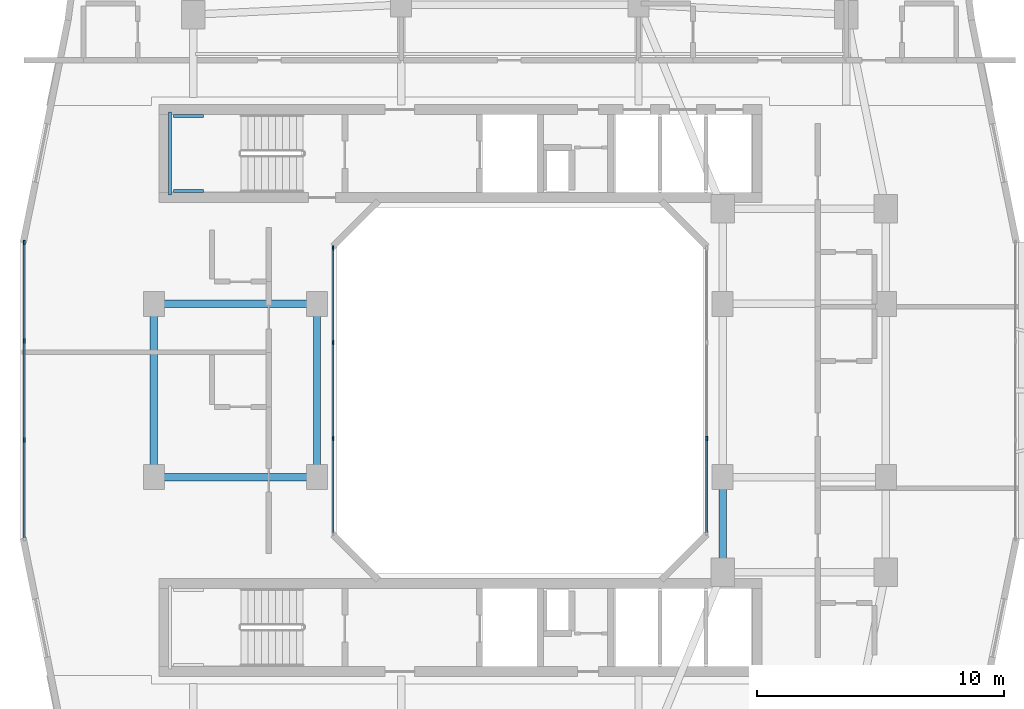
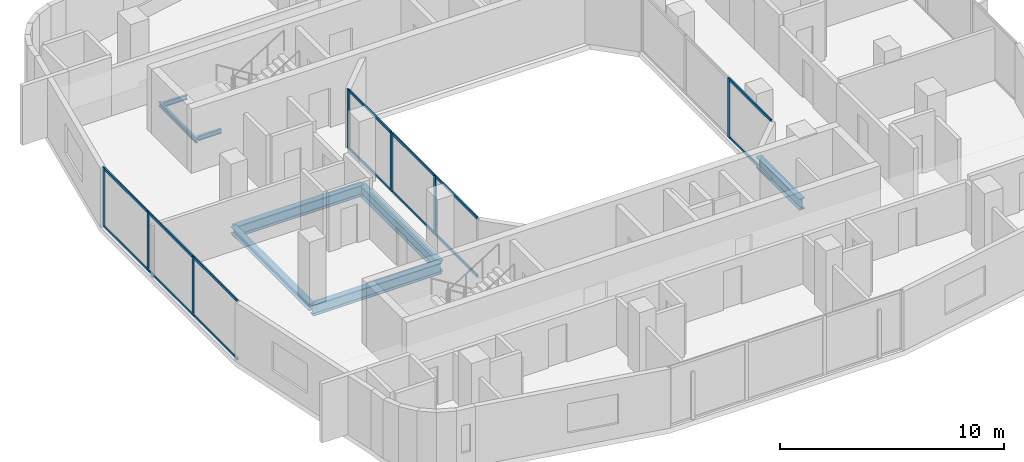
# One storey, part 3 of 26: 21 members, 8 beams, 3 elements without a shape of their own.
"""IFC4 building model written with IfcOpenShell, lengths in metres."""

from ifc_helpers import new_model, si_unit, derived_unit, direction, frame, origin, origin_2d, place, context, subcontext, project, spatial, rectangle, i_section, extrude, material, layer, layer_set, material_profile, profile_set, type_object, element, aggregate, save


model = new_model("IFC4")

# Units and contexts
model_context = context("Model", 3, precision=1e-05, world=origin(), true_north=direction((0.0, 1.0)))
body_context = subcontext(model_context, "Body", "Model", "MODEL_VIEW")
ifc_project = project(units=[si_unit("LENGTHUNIT", "METRE"), si_unit("AREAUNIT", "SQUARE_METRE"), si_unit("VOLUMEUNIT", "CUBIC_METRE"), si_unit("PLANEANGLEUNIT", "RADIAN"), si_unit("MASSUNIT", "GRAM", prefix="KILO"), derived_unit("THERMALTRANSMITTANCEUNIT", [(si_unit("POWERUNIT", "WATT"), 1), (si_unit("LENGTHUNIT", "METRE"), -2), (si_unit("THERMODYNAMICTEMPERATUREUNIT", "KELVIN"), -1)])], contexts=[model_context])

# Site, building, storey
site_placement = place(None, origin())
site = spatial("IfcSite", under=ifc_project, at=site_placement, CompositionType="ELEMENT")
building_placement = place(site_placement, origin())
building = spatial("IfcBuilding", under=site, at=building_placement, Name="Kivonza Crest Hotel", CompositionType="ELEMENT")
storey_placement = place(building_placement, frame((0.0, 0.0, 102.0)))
storey = spatial("IfcBuildingStorey", under=building, at=storey_placement, Name="L27", CompositionType="ELEMENT", Elevation=102.0)

# Beams
ifc_material_1 = material(Name="Steel S355", Category="steel")
ifc_material_profile_1 = material_profile(ifc_material_1, i_section(OverallWidth=0.300048828125, OverallDepth=0.360107421875, WebThickness=0.012451171875, FlangeThickness=0.0224609375, FilletRadius=0.027099609375, at=origin_2d()), Name="HEB 360")
ifc_profile_set_1 = profile_set([ifc_material_profile_1], Name="Steel S355")
beam_type_1 = type_object("IfcBeamType", Name="BM-HEB360", PredefinedType="SPANDREL", material=ifc_profile_set_1)
beam_1_placement = place(storey_placement, frame((6.199951171875, 28.5, -0.4599609375), z_axis=(0.0, -1.0, 0.0), x_axis=(1.0, 0.0, 0.0)))
element("IfcBeam", 1, at=beam_1_placement, inside=storey, type_object=beam_type_1, Name="Tower T1 L27 perimeter spandrel W2-W1", PredefinedType="SPANDREL", context=body_context, shape_type="SweptSolid", body=[
    extrude(i_section(OverallWidth=0.300048828125, OverallDepth=0.360107421875, WebThickness=0.012451171875, FlangeThickness=0.0224609375, FilletRadius=0.027099609375, at=origin_2d()), origin(), (0.0, 0.0, 1.0), 7.0),
])
ifc_material_profile_2 = material_profile(ifc_material_1, i_section(OverallWidth=0.300048828125, OverallDepth=0.60009765625, WebThickness=0.015380859375, FlangeThickness=0.030029296875, FilletRadius=0.027099609375, at=origin_2d()), Name="HEB 600")
ifc_profile_set_2 = profile_set([ifc_material_profile_2], Name="Steel S355")
beam_type_2 = type_object("IfcBeamType", Name="BM-HEB600", PredefinedType="BEAM", material=ifc_profile_set_2)
for number, where, z_axis, x_axis, name in (
    (2, (6.199951171875, 21.5, -0.580078125), (1.0, 0.0, 0.0), (0.0, 1.0, 0.0), "Tower T1 L27 primary girder W1-WL1"),
    (3, (6.199951171875, 28.5, -0.580078125), (1.0, 0.0, 0.0), (0.0, 1.0, 0.0), "Tower T1 L27 primary girder W2-WL2"),
):
    element("IfcBeam", number, at=place(storey_placement, frame(where, z_axis=z_axis, x_axis=x_axis)), inside=storey, type_object=beam_type_2, Name=name, PredefinedType="BEAM", context=body_context, shape_type="SweptSolid", body=[
        extrude(i_section(OverallWidth=0.300048828125, OverallDepth=0.60009765625, WebThickness=0.015380859375, FlangeThickness=0.030029296875, FilletRadius=0.027099609375, at=origin_2d()), origin(), (0.0, 0.0, 1.0), 6.60009765625),
    ])
beam_2_placement = place(storey_placement, frame((12.800048828125, 21.5, -0.580078125), z_axis=(0.0, 1.0, 0.0), x_axis=(-1.0, 0.0, 0.0)))
element("IfcBeam", 4, at=beam_2_placement, inside=storey, type_object=beam_type_2, Name="Tower T1 L27 primary girder WL1-WL2", PredefinedType="BEAM", context=body_context, shape_type="SweptSolid", body=[
    extrude(i_section(OverallWidth=0.300048828125, OverallDepth=0.60009765625, WebThickness=0.015380859375, FlangeThickness=0.030029296875, FilletRadius=0.027099609375, at=origin_2d()), origin(), (0.0, 0.0, 1.0), 7.0),
])
beam_3_placement = place(storey_placement, frame((29.199951171875, 17.64990234375, -0.580078125), z_axis=(0.0, 1.0, 0.0), x_axis=(-1.0, 0.0, 0.0)))
element("IfcBeam", 5, at=beam_3_placement, inside=storey, type_object=beam_type_2, Name="Tower T1 L27 primary girder TSE-WR1", PredefinedType="BEAM", context=body_context, shape_type="SweptSolid", body=[
    extrude(i_section(OverallWidth=0.300048828125, OverallDepth=0.60009765625, WebThickness=0.015380859375, FlangeThickness=0.030029296875, FilletRadius=0.027099609375, at=origin_2d()), origin(), (0.0, 0.0, 1.0), 3.85009765625),
])
ifc_material_profile_3 = material_profile(ifc_material_1, i_section(OverallWidth=0.1201171875, OverallDepth=0.239990234375, WebThickness=0.006103515625, FlangeThickness=0.009765625, FilletRadius=0.014892578125, at=origin_2d()), Name="IPE 240")
ifc_profile_set_3 = profile_set([ifc_material_profile_3], Name="Steel S355")
beam_type_3 = type_object("IfcBeamType", Name="BM-LLDG-240", PredefinedType="BEAM", material=ifc_profile_set_3)
beam_4_placement = place(storey_placement, frame((6.860107421875, 32.89990234375, 1.429931640625), z_axis=(0.0, 1.0, 0.0), x_axis=(-1.0, 0.0, 0.0)))
element("IfcBeam", 6, at=beam_4_placement, inside=storey, type_object=beam_type_3, Name="Stair ST-T1-N L27 West landing corbel", PredefinedType="BEAM", context=body_context, shape_type="SweptSolid", body=[
    extrude(i_section(OverallWidth=0.1201171875, OverallDepth=0.239990234375, WebThickness=0.006103515625, FlangeThickness=0.009765625, FilletRadius=0.014892578125, at=origin_2d()), origin(), (0.0, 0.0, 1.0), 3.360107421875),
])
for number, where, z_axis, x_axis, name in (
    (7, (6.989990234375, 33.06005859375, 1.429931640625), (1.0, 0.0, 0.0), (0.0, 1.0, 0.0), "Stair ST-T1-N L27 South landing corbel"),
    (8, (6.989990234375, 36.10009765625, 1.429931640625), (1.0, 0.0, 0.0), (0.0, 1.0, 0.0), "Stair ST-T1-N L27 North landing corbel"),
):
    element("IfcBeam", number, at=place(storey_placement, frame(where, z_axis=z_axis, x_axis=x_axis)), inside=storey, type_object=beam_type_3, Name=name, PredefinedType="BEAM", context=body_context, shape_type="SweptSolid", body=[
        extrude(i_section(OverallWidth=0.1201171875, OverallDepth=0.239990234375, WebThickness=0.006103515625, FlangeThickness=0.009765625, FilletRadius=0.014892578125, at=origin_2d()), origin(), (0.0, 0.0, 1.0), 1.2099609375),
    ])

# Curtain wall, members
ifc_material_2 = material(Name="Anodised bronze aluminium and low-E double glazing", Category="aluminium")
ifc_layer_1 = layer(ifc_material_2, 0.179931640625)
ifc_layer_set_1 = layer_set([ifc_layer_1], Name="Anodised bronze aluminium and low-E double glazing")
curtain_wall_type_1 = type_object("IfcCurtainWallType", Name="CW-SYS-2", PredefinedType="NOTDEFINED", material=ifc_layer_set_1)
curtain_wall_1_placement = place(storey_placement, origin())
curtain_wall_1 = element("IfcCurtainWall", 9, at=curtain_wall_1_placement, inside=storey, type_object=curtain_wall_type_1, Name="L27 unitised curtain wall CW-T1-L27-35", PredefinedType="NOTDEFINED")
ifc_material_3 = material(Name="Anodised bronze aluminium", Category="aluminium")
ifc_material_profile_4 = material_profile(ifc_material_3, rectangle(XDim=0.06494140625, YDim=0.179931640625, at=origin_2d()), Name="CW-M 65x180")
ifc_profile_set_4 = profile_set([ifc_material_profile_4], Name="Anodised bronze aluminium")
member_type_1 = type_object("IfcMemberType", Name="CW-MUL-65x180", PredefinedType="MULLION", material=ifc_profile_set_4)
member_1_placement = place(storey_placement, frame((0.9599609375, 30.987548828125, 0.0), z_axis=(0.0, 0.0, 1.0), x_axis=(1.0, 0.0, 0.0)))
member_1 = element("IfcMember", 10, at=member_1_placement, type_object=member_type_1, Name="CW-2 mullion 1", PredefinedType="MULLION", context=body_context, shape_type="SweptSolid", body=[
    extrude(rectangle(XDim=0.06494140625, YDim=0.179931640625, at=origin_2d()), origin(), (0.0, 0.0, 1.0), 3.219970703125),
])
member_2_placement = place(storey_placement, frame((0.9599609375, 27.006591796875, 0.0), z_axis=(0.0, 0.0, 1.0), x_axis=(1.0, 0.0, 0.0)))
member_2 = element("IfcMember", 11, at=member_2_placement, type_object=member_type_1, Name="CW-2 mullion 2", PredefinedType="MULLION", context=body_context, shape_type="SweptSolid", body=[
    extrude(rectangle(XDim=0.06494140625, YDim=0.179931640625, at=origin_2d()), origin(), (0.0, 0.0, 1.0), 3.219970703125),
])
member_3_placement = place(storey_placement, frame((0.9599609375, 22.993408203125, 0.0), z_axis=(0.0, 0.0, 1.0), x_axis=(1.0, 0.0, 0.0)))
member_3 = element("IfcMember", 12, at=member_3_placement, type_object=member_type_1, Name="CW-2 mullion 3", PredefinedType="MULLION", context=body_context, shape_type="SweptSolid", body=[
    extrude(rectangle(XDim=0.06494140625, YDim=0.179931640625, at=origin_2d()), origin(), (0.0, 0.0, 1.0), 3.219970703125),
])

# Curtain wall, member
ifc_layer_2 = layer(ifc_material_2, 0.159912109375)
ifc_layer_set_2 = layer_set([ifc_layer_2], Name="Anodised bronze aluminium and low-E double glazing")
curtain_wall_type_2 = type_object("IfcCurtainWallType", Name="CW-SYS-5", PredefinedType="NOTDEFINED", material=ifc_layer_set_2)
curtain_wall_2_placement = place(storey_placement, origin())
curtain_wall_2 = element("IfcCurtainWall", 13, at=curtain_wall_2_placement, inside=storey, type_object=curtain_wall_type_2, Name="L27 unitised curtain wall CW-WELL-T1-L27-3", PredefinedType="NOTDEFINED")
member_4_placement = place(storey_placement, frame((28.56005859375, 23.066650390625, 0.0), z_axis=(0.0, 0.0, 1.0), x_axis=(-1.0, 0.0, 0.0)))
member_4 = element("IfcMember", 14, at=member_4_placement, type_object=member_type_1, Name="CW-5 mullion 2", PredefinedType="MULLION", context=body_context, shape_type="SweptSolid", body=[
    extrude(rectangle(XDim=0.06494140625, YDim=0.179931640625, at=origin_2d()), origin(), (0.0, 0.0, 1.0), 3.219970703125),
])

# Curtain wall, members
curtain_wall_3_placement = place(storey_placement, origin())
curtain_wall_3 = element("IfcCurtainWall", 15, at=curtain_wall_3_placement, inside=storey, type_object=curtain_wall_type_2, Name="L27 unitised curtain wall CW-WELL-T1-L27-7", PredefinedType="NOTDEFINED")
member_5_placement = place(storey_placement, frame((13.43994140625, 30.767578125, 0.0), z_axis=(0.0, 0.0, 1.0), x_axis=(1.0, 0.0, 0.0)))
member_5 = element("IfcMember", 16, at=member_5_placement, type_object=member_type_1, Name="CW-5 mullion 1", PredefinedType="MULLION", context=body_context, shape_type="SweptSolid", body=[
    extrude(rectangle(XDim=0.06494140625, YDim=0.179931640625, at=origin_2d()), origin(), (0.0, 0.0, 1.0), 3.219970703125),
])
member_6_placement = place(storey_placement, frame((13.43994140625, 26.933349609375, 0.0), z_axis=(0.0, 0.0, 1.0), x_axis=(1.0, 0.0, 0.0)))
member_6 = element("IfcMember", 17, at=member_6_placement, type_object=member_type_1, Name="CW-5 mullion 2", PredefinedType="MULLION", context=body_context, shape_type="SweptSolid", body=[
    extrude(rectangle(XDim=0.06494140625, YDim=0.179931640625, at=origin_2d()), origin(), (0.0, 0.0, 1.0), 3.219970703125),
])
member_7_placement = place(storey_placement, frame((13.43994140625, 23.066650390625, 0.0), z_axis=(0.0, 0.0, 1.0), x_axis=(1.0, 0.0, 0.0)))
member_7 = element("IfcMember", 18, at=member_7_placement, type_object=member_type_1, Name="CW-5 mullion 3", PredefinedType="MULLION", context=body_context, shape_type="SweptSolid", body=[
    extrude(rectangle(XDim=0.06494140625, YDim=0.179931640625, at=origin_2d()), origin(), (0.0, 0.0, 1.0), 3.219970703125),
])

# Member
ifc_material_profile_5 = material_profile(ifc_material_3, rectangle(XDim=0.06494140625, YDim=0.139892578125, at=origin_2d()), Name="CW-T 65x140")
ifc_profile_set_5 = profile_set([ifc_material_profile_5], Name="Anodised bronze aluminium")
member_type_2 = type_object("IfcMemberType", Name="CW-TRN-65x140", PredefinedType="USERDEFINED", material=ifc_profile_set_5)
member_8_placement = place(storey_placement, frame((0.9599609375, 30.955078125, 0.032470703125), z_axis=(0.0, -1.0, 0.0), x_axis=(1.0, 0.0, 0.0)))
member_8 = element("IfcMember", 19, at=member_8_placement, type_object=member_type_2, Name="CW-2 transom 1.1", ObjectType="TRANSOM", PredefinedType="USERDEFINED", context=body_context, shape_type="SweptSolid", body=[
    extrude(rectangle(XDim=0.06494140625, YDim=0.139892578125, at=origin_2d()), origin(), (0.0, 0.0, 1.0), 3.916015625),
])

member_9_placement = place(storey_placement, frame((0.9599609375, 30.955078125, 3.1875), z_axis=(0.0, -1.0, 0.0), x_axis=(1.0, 0.0, 0.0)))
member_9 = element("IfcMember", 20, at=member_9_placement, type_object=member_type_2, Name="CW-2 transom 1.2", ObjectType="TRANSOM", PredefinedType="USERDEFINED", context=body_context, shape_type="SweptSolid", body=[
    extrude(rectangle(XDim=0.06494140625, YDim=0.139892578125, at=origin_2d()), origin(), (0.0, 0.0, 1.0), 3.916015625),
])

member_10_placement = place(storey_placement, frame((0.9599609375, 26.97412109375, 0.032470703125), z_axis=(0.0, -1.0, 0.0), x_axis=(1.0, 0.0, 0.0)))
member_10 = element("IfcMember", 21, at=member_10_placement, type_object=member_type_2, Name="CW-2 transom 2.1", ObjectType="TRANSOM", PredefinedType="USERDEFINED", context=body_context, shape_type="SweptSolid", body=[
    extrude(rectangle(XDim=0.06494140625, YDim=0.139892578125, at=origin_2d()), origin(), (0.0, 0.0, 1.0), 3.9482421875),
])

member_11_placement = place(storey_placement, frame((0.9599609375, 26.97412109375, 3.1875), z_axis=(0.0, -1.0, 0.0), x_axis=(1.0, 0.0, 0.0)))
member_11 = element("IfcMember", 22, at=member_11_placement, type_object=member_type_2, Name="CW-2 transom 2.2", ObjectType="TRANSOM", PredefinedType="USERDEFINED", context=body_context, shape_type="SweptSolid", body=[
    extrude(rectangle(XDim=0.06494140625, YDim=0.139892578125, at=origin_2d()), origin(), (0.0, 0.0, 1.0), 3.9482421875),
])

member_12_placement = place(storey_placement, frame((0.9599609375, 22.9609375, 0.032470703125), z_axis=(0.0, -1.0, 0.0), x_axis=(1.0, 0.0, 0.0)))
member_12 = element("IfcMember", 23, at=member_12_placement, type_object=member_type_2, Name="CW-2 transom 3.1", ObjectType="TRANSOM", PredefinedType="USERDEFINED", context=body_context, shape_type="SweptSolid", body=[
    extrude(rectangle(XDim=0.06494140625, YDim=0.139892578125, at=origin_2d()), origin(), (0.0, 0.0, 1.0), 3.916015625),
])

member_13_placement = place(storey_placement, frame((0.9599609375, 22.9609375, 3.1875), z_axis=(0.0, -1.0, 0.0), x_axis=(1.0, 0.0, 0.0)))
member_13 = element("IfcMember", 24, at=member_13_placement, type_object=member_type_2, Name="CW-2 transom 3.2", ObjectType="TRANSOM", PredefinedType="USERDEFINED", context=body_context, shape_type="SweptSolid", body=[
    extrude(rectangle(XDim=0.06494140625, YDim=0.139892578125, at=origin_2d()), origin(), (0.0, 0.0, 1.0), 3.916015625),
])

aggregate(curtain_wall_1, [member_1, member_2, member_3, member_8, member_9, member_10, member_11, member_12, member_13])

member_14_placement = place(storey_placement, frame((28.56005859375, 19.264892578125, 0.032470703125), z_axis=(0.0, 1.0, 0.0), x_axis=(-1.0, 0.0, 0.0)))
member_14 = element("IfcMember", 25, at=member_14_placement, type_object=member_type_2, Name="CW-5 transom 1.1", ObjectType="TRANSOM", PredefinedType="USERDEFINED", context=body_context, shape_type="SweptSolid", body=[
    extrude(rectangle(XDim=0.06494140625, YDim=0.139892578125, at=origin_2d()), origin(), (0.0, 0.0, 1.0), 3.769287109375),
])

member_15_placement = place(storey_placement, frame((28.56005859375, 19.264892578125, 3.1875), z_axis=(0.0, 1.0, 0.0), x_axis=(-1.0, 0.0, 0.0)))
member_15 = element("IfcMember", 26, at=member_15_placement, type_object=member_type_2, Name="CW-5 transom 1.2", ObjectType="TRANSOM", PredefinedType="USERDEFINED", context=body_context, shape_type="SweptSolid", body=[
    extrude(rectangle(XDim=0.06494140625, YDim=0.139892578125, at=origin_2d()), origin(), (0.0, 0.0, 1.0), 3.769287109375),
])

aggregate(curtain_wall_2, [member_4, member_14, member_15])

member_16_placement = place(storey_placement, frame((13.43994140625, 30.735107421875, 0.032470703125), z_axis=(0.0, -1.0, 0.0), x_axis=(1.0, 0.0, 0.0)))
member_16 = element("IfcMember", 27, at=member_16_placement, type_object=member_type_2, Name="CW-5 transom 1.1", ObjectType="TRANSOM", PredefinedType="USERDEFINED", context=body_context, shape_type="SweptSolid", body=[
    extrude(rectangle(XDim=0.06494140625, YDim=0.139892578125, at=origin_2d()), origin(), (0.0, 0.0, 1.0), 3.769287109375),
])

member_17_placement = place(storey_placement, frame((13.43994140625, 30.735107421875, 3.1875), z_axis=(0.0, -1.0, 0.0), x_axis=(1.0, 0.0, 0.0)))
member_17 = element("IfcMember", 28, at=member_17_placement, type_object=member_type_2, Name="CW-5 transom 1.2", ObjectType="TRANSOM", PredefinedType="USERDEFINED", context=body_context, shape_type="SweptSolid", body=[
    extrude(rectangle(XDim=0.06494140625, YDim=0.139892578125, at=origin_2d()), origin(), (0.0, 0.0, 1.0), 3.769287109375),
])

member_18_placement = place(storey_placement, frame((13.43994140625, 26.90087890625, 0.032470703125), z_axis=(0.0, -1.0, 0.0), x_axis=(1.0, 0.0, 0.0)))
member_18 = element("IfcMember", 29, at=member_18_placement, type_object=member_type_2, Name="CW-5 transom 2.1", ObjectType="TRANSOM", PredefinedType="USERDEFINED", context=body_context, shape_type="SweptSolid", body=[
    extrude(rectangle(XDim=0.06494140625, YDim=0.139892578125, at=origin_2d()), origin(), (0.0, 0.0, 1.0), 3.8017578125),
])

member_19_placement = place(storey_placement, frame((13.43994140625, 26.90087890625, 3.1875), z_axis=(0.0, -1.0, 0.0), x_axis=(1.0, 0.0, 0.0)))
member_19 = element("IfcMember", 30, at=member_19_placement, type_object=member_type_2, Name="CW-5 transom 2.2", ObjectType="TRANSOM", PredefinedType="USERDEFINED", context=body_context, shape_type="SweptSolid", body=[
    extrude(rectangle(XDim=0.06494140625, YDim=0.139892578125, at=origin_2d()), origin(), (0.0, 0.0, 1.0), 3.8017578125),
])

member_20_placement = place(storey_placement, frame((13.43994140625, 23.0341796875, 0.032470703125), z_axis=(0.0, -1.0, 0.0), x_axis=(1.0, 0.0, 0.0)))
member_20 = element("IfcMember", 31, at=member_20_placement, type_object=member_type_2, Name="CW-5 transom 3.1", ObjectType="TRANSOM", PredefinedType="USERDEFINED", context=body_context, shape_type="SweptSolid", body=[
    extrude(rectangle(XDim=0.06494140625, YDim=0.139892578125, at=origin_2d()), origin(), (0.0, 0.0, 1.0), 3.769287109375),
])

member_21_placement = place(storey_placement, frame((13.43994140625, 23.0341796875, 3.1875), z_axis=(0.0, -1.0, 0.0), x_axis=(1.0, 0.0, 0.0)))
member_21 = element("IfcMember", 32, at=member_21_placement, type_object=member_type_2, Name="CW-5 transom 3.2", ObjectType="TRANSOM", PredefinedType="USERDEFINED", context=body_context, shape_type="SweptSolid", body=[
    extrude(rectangle(XDim=0.06494140625, YDim=0.139892578125, at=origin_2d()), origin(), (0.0, 0.0, 1.0), 3.769287109375),
])

aggregate(curtain_wall_3, [member_5, member_6, member_7, member_16, member_17, member_18, member_19, member_20, member_21])

save(model, "model.ifc")
